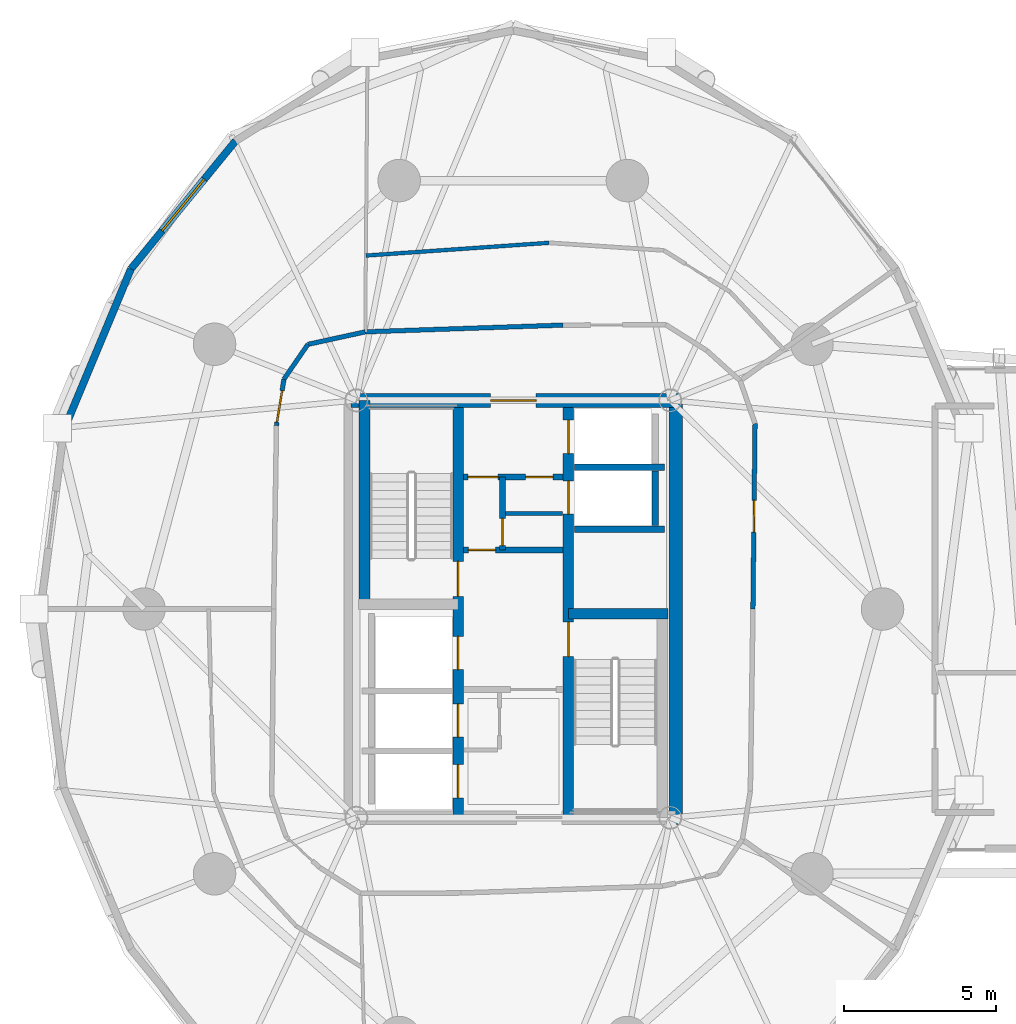
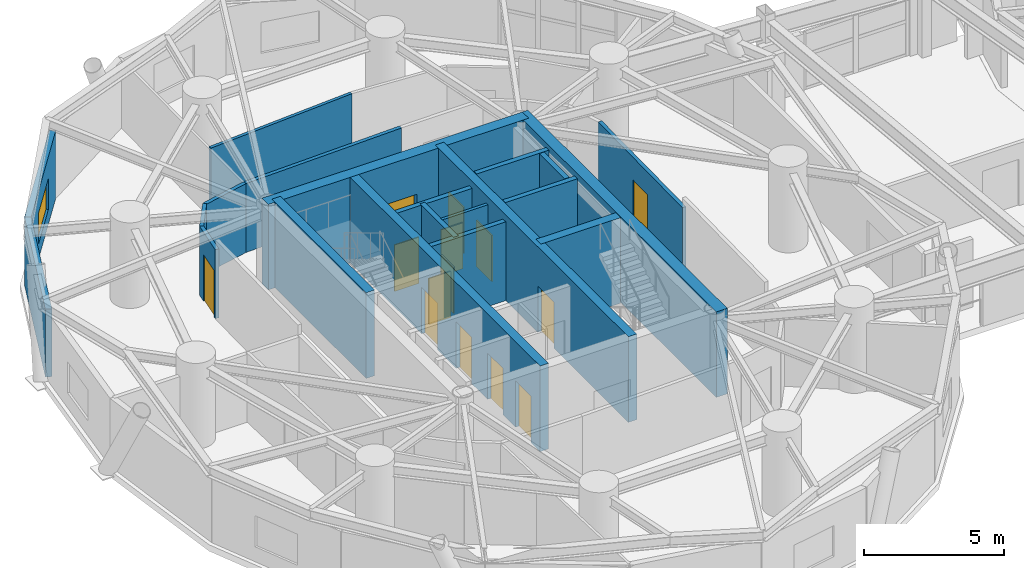
# One storey, part 14 of 20: 21 walls, 14 doors, 1 window, 15 openings.
"""IFC4 building model written with IfcOpenShell, lengths in metres."""

from ifc_helpers import new_model, si_unit, direction, frame, frame_2d, origin, place, context, subcontext, project, spatial, rectangle, extrude, source, transform, mapped, material, layer, layer_set, type_object, element, fill, save


model = new_model("IFC4")

# Units and contexts
model_context = context("Model", 3, precision=1e-05, world=origin(), true_north=direction((0.0, 1.0)))
body_context = subcontext(model_context, "Body", "Model", "MODEL_VIEW")
ifc_project = project(units=[si_unit("LENGTHUNIT", "METRE"), si_unit("AREAUNIT", "SQUARE_METRE"), si_unit("VOLUMEUNIT", "CUBIC_METRE"), si_unit("PLANEANGLEUNIT", "RADIAN"), si_unit("MASSUNIT", "GRAM", prefix="KILO")], contexts=[model_context])

# Site, building, storey
site_placement = place(None, origin())
site = spatial("IfcSite", under=ifc_project, at=site_placement, CompositionType="ELEMENT")
building_placement = place(site_placement, origin())
building = spatial("IfcBuilding", under=site, at=building_placement, Name="Cununo Teusaquillo Station Towers", CompositionType="ELEMENT")
storey_placement = place(building_placement, frame((0.0, 0.0, 129.159912109375)))
storey = spatial("IfcBuildingStorey", under=building, at=storey_placement, Name="L41", CompositionType="ELEMENT", Elevation=129.159912109375)

# Walls
ifc_material_1 = material(Name="Concrete C50/60", Category="concrete")
ifc_layer_1 = layer(ifc_material_1, 0.199951171875)
ifc_layer_set_1 = layer_set([ifc_layer_1], Name="Concrete C50/60")
wall_type_1 = type_object("IfcWallType", Name="WL-CORE-200", PredefinedType="SHEAR", material=ifc_layer_set_1)
for number, where, z_axis, x_axis, name in (
    (1, (18.510009765625, 27.1298828125, 0.0), (0.0, 0.0, 1.0), (1.0, 0.0, 0.0), "L41 Tower A Low-Rise Lift Hoistway South Shear Wall"),
    (2, (18.510009765625, 29.175048828125, 0.0), (0.0, 0.0, 1.0), (1.0, 0.0, 0.0), "L41 Tower A Low-Rise Lift Hoistway Divider Shear Wall"),
):
    element("IfcWall", number, at=place(storey_placement, frame(where, z_axis=z_axis, x_axis=x_axis)), inside=storey, type_object=wall_type_1, Name=name, PredefinedType="SHEAR", context=body_context, shape_type="SweptSolid", body=[
        extrude(rectangle(XDim=2.969970703125, YDim=0.199951171875, at=frame_2d((1.48486328125, 0.0))), origin(), (0.0, 0.0, 1.0), 3.719970703125),
    ])
wall_1_placement = place(storey_placement, frame((21.179931640625, 27.25, 0.0), z_axis=(0.0, 0.0, 1.0), x_axis=(0.0, 1.0, 0.0)))
element("IfcWall", 3, at=wall_1_placement, inside=storey, type_object=wall_type_1, Name="L41 Tower A Low-Rise Lift 1 Shaft Rear Shear Wall", PredefinedType="SHEAR", context=body_context, shape_type="SweptSolid", body=[
    extrude(rectangle(XDim=1.804931640625, YDim=0.199951171875, at=frame_2d((0.90234375, 0.0))), origin(), (0.0, 0.0, 1.0), 3.719970703125),
])

# Wall, openings, doors
ifc_material_2 = material(Name="Concrete C50/60", Category="concrete")
ifc_layer_2 = layer(ifc_material_2, 0.35009765625)
ifc_layer_set_2 = layer_set([ifc_layer_2], Name="Concrete C50/60")
wall_type_2 = type_object("IfcWallType", Name="WL-CORE-350", PredefinedType="SHEAR", material=ifc_layer_set_2)
wall_2_placement = place(storey_placement, frame((14.68505859375, 17.625, 0.0), z_axis=(0.0, 0.0, 1.0), x_axis=(0.0, 1.0, 0.0)))
wall_2 = element("IfcWall", 4, at=wall_2_placement, inside=storey, type_object=wall_type_2, Name="L41 Tower A Core Shear Wall IW", PredefinedType="SHEAR", context=body_context, shape_type="SweptSolid", body=[
    extrude(rectangle(XDim=13.75, YDim=0.35009765625, at=frame_2d((6.875, 0.0))), origin(), (0.0, 0.0, 1.0), 3.719970703125),
])
shared_shape_1 = source(origin(), body_context, "Body", "SweptSolid", [
    extrude(rectangle(XDim=1.10009765625, YDim=2.014892578125, at=frame_2d((0.550048828125, 1.00732421875))), frame((0.0, 0.18505859375, 0.0), z_axis=(0.0, -1.0, 0.0), x_axis=(1.0, 0.0, 0.0)), (0.0, 0.0, 1.0), 0.3701171875),
])
opening_1_placement = place(wall_2_placement, frame((4.875, 0.0, 0.0)))
opening_1 = element("IfcOpeningElement", 5, at=opening_1_placement, cuts=wall_2, Name="Opening LD-01", PredefinedType="OPENING", context=body_context, shape_type="MappedRepresentation", body=[
    mapped(shared_shape_1, transform((0.0, 0.0, 0.0), x_axis=(1.0, 0.0, 0.0), y_axis=(0.0, 1.0, 0.0), z_axis=(0.0, 0.0, 1.0), scale=1.0)),
])
opening_2_placement = place(wall_2_placement, frame((0.64990234375, 0.0, 0.0)))
opening_2 = element("IfcOpeningElement", 6, at=opening_2_placement, cuts=wall_2, Name="Opening LD-01", PredefinedType="OPENING", context=body_context, shape_type="MappedRepresentation", body=[
    mapped(shared_shape_1, transform((0.0, 0.0, 0.0), x_axis=(1.0, 0.0, 0.0), y_axis=(0.0, 1.0, 0.0), z_axis=(0.0, 0.0, 1.0), scale=1.0)),
])
opening_3_placement = place(wall_2_placement, frame((2.64990234375, 0.0, 0.0)))
opening_3 = element("IfcOpeningElement", 7, at=opening_3_placement, cuts=wall_2, Name="Opening LD-01", PredefinedType="OPENING", context=body_context, shape_type="MappedRepresentation", body=[
    mapped(shared_shape_1, transform((0.0, 0.0, 0.0), x_axis=(1.0, 0.0, 0.0), y_axis=(0.0, 1.0, 0.0), z_axis=(0.0, 0.0, 1.0), scale=1.0)),
])
shared_shape_2 = source(origin(), body_context, "Body", "SweptSolid", [
    extrude(rectangle(XDim=1.14990234375, YDim=2.02001953125, at=frame_2d((0.574951171875, 1.010009765625))), frame((0.0, 0.18505859375, 0.0), z_axis=(0.0, -1.0, 0.0), x_axis=(1.0, 0.0, 0.0)), (0.0, 0.0, 1.0), 0.3701171875),
])
opening_4_placement = place(wall_2_placement, frame((7.294921875, 0.0, 0.0)))
opening_4 = element("IfcOpeningElement", 8, at=opening_4_placement, cuts=wall_2, Name="Opening D-ST1", PredefinedType="OPENING", context=body_context, shape_type="MappedRepresentation", body=[
    mapped(shared_shape_2, transform((0.0, 0.0, 0.0), x_axis=(1.0, 0.0, 0.0), y_axis=(0.0, 1.0, 0.0), z_axis=(0.0, 0.0, 1.0), scale=1.0)),
])
ifc_material_3 = material(Name="Galvanised fire-rated hollow steel door assembly", Category="steel")
door_type_1 = type_object("IfcDoorType", Name="DR-LIFT-1100", OperationType="SLIDING_TO_LEFT", PredefinedType="DOOR", material=ifc_material_3)
shared_shape_3 = source(origin(), body_context, "Body", "SweptSolid", [
    extrude(rectangle(XDim=1.10009765625, YDim=2.014892578125, at=frame_2d((0.550048828125, 1.00732421875))), frame((0.0, 0.02490234375, 0.0), z_axis=(0.0, -1.0, 0.0), x_axis=(1.0, 0.0, 0.0)), (0.0, 0.0, 1.0), 0.050048828125),
])
door_1_placement = place(opening_1_placement, origin())
door_1 = element("IfcDoor", 9, at=door_1_placement, inside=storey, type_object=door_type_1, Name="L41 Lift FL-T1 Sliding Landing Door", OperationType="SLIDING_TO_RIGHT", OverallHeight=2.014892578125, OverallWidth=1.10009765625, PredefinedType="DOOR", context=body_context, shape_type="MappedRepresentation", body=[
    mapped(shared_shape_3, transform((0.0, 0.0, 0.0), x_axis=(1.0, 0.0, 0.0), y_axis=(0.0, 1.0, 0.0), z_axis=(0.0, 0.0, 1.0), scale=1.0)),
])
fill(opening_1, door_1)
door_2_placement = place(opening_2_placement, origin())
door_2 = element("IfcDoor", 10, at=door_2_placement, inside=storey, type_object=door_type_1, Name="L41 Lift PL-T1-H1 Sliding Landing Door", OperationType="SLIDING_TO_RIGHT", OverallHeight=2.014892578125, OverallWidth=1.10009765625, PredefinedType="DOOR", context=body_context, shape_type="MappedRepresentation", body=[
    mapped(shared_shape_3, transform((0.0, 0.0, 0.0), x_axis=(1.0, 0.0, 0.0), y_axis=(0.0, 1.0, 0.0), z_axis=(0.0, 0.0, 1.0), scale=1.0)),
])
fill(opening_2, door_2)
door_3_placement = place(opening_3_placement, origin())
door_3 = element("IfcDoor", 11, at=door_3_placement, inside=storey, type_object=door_type_1, Name="L41 Lift PL-T1-H2 Sliding Landing Door", OperationType="SLIDING_TO_LEFT", OverallHeight=2.014892578125, OverallWidth=1.10009765625, PredefinedType="DOOR", context=body_context, shape_type="MappedRepresentation", body=[
    mapped(shared_shape_3, transform((0.0, 0.0, 0.0), x_axis=(1.0, 0.0, 0.0), y_axis=(0.0, 1.0, 0.0), z_axis=(0.0, 0.0, 1.0), scale=1.0)),
])
fill(opening_3, door_3)
ifc_material_4 = material(Name="Galvanised fire-rated hollow steel door assembly", Category="steel")
door_type_2 = type_object("IfcDoorType", Name="DR-STAIR-1150", OperationType="NOTDEFINED", PredefinedType="DOOR", material=ifc_material_4)
shared_shape_4 = source(origin(), body_context, "Body", "SweptSolid", [
    extrude(rectangle(XDim=1.14990234375, YDim=2.02001953125, at=frame_2d((0.574951171875, 1.010009765625))), frame((0.0, 0.02490234375, 0.0), z_axis=(0.0, -1.0, 0.0), x_axis=(1.0, 0.0, 0.0)), (0.0, 0.0, 1.0), 0.050048828125),
])
door_4_placement = place(opening_4_placement, origin())
door_4 = element("IfcDoor", 12, at=door_4_placement, inside=storey, type_object=door_type_2, Name="L41 Tower A Exit Stair 1 Fire Door", OperationType="SINGLE_SWING_LEFT", OverallHeight=2.02001953125, OverallWidth=1.14990234375, PredefinedType="DOOR", context=body_context, shape_type="MappedRepresentation", body=[
    mapped(shared_shape_4, transform((0.0, 0.0, 0.0), x_axis=(1.0, 0.0, 0.0), y_axis=(0.0, 1.0, 0.0), z_axis=(0.0, 0.0, 1.0), scale=1.0)),
])
fill(opening_4, door_4)

wall_3_placement = place(storey_placement, frame((18.31494140625, 17.625, 0.0), z_axis=(0.0, 0.0, 1.0), x_axis=(0.0, 1.0, 0.0)))
wall_3 = element("IfcWall", 13, at=wall_3_placement, inside=storey, type_object=wall_type_2, Name="L41 Tower A Core Shear Wall IE", PredefinedType="SHEAR", context=body_context, shape_type="SweptSolid", body=[
    extrude(rectangle(XDim=13.75, YDim=0.35009765625, at=frame_2d((6.875, 0.0))), origin(), (0.0, 0.0, 1.0), 3.719970703125),
])
opening_5_placement = place(wall_3_placement, frame((10.0, 0.0, 0.0)))
opening_5 = element("IfcOpeningElement", 14, at=opening_5_placement, cuts=wall_3, Name="Opening LD-01", PredefinedType="OPENING", context=body_context, shape_type="MappedRepresentation", body=[
    mapped(shared_shape_1, transform((0.0, 0.0, 0.0), x_axis=(1.0, 0.0, 0.0), y_axis=(0.0, 1.0, 0.0), z_axis=(0.0, 0.0, 1.0), scale=1.0)),
])
opening_6_placement = place(wall_3_placement, frame((12.0, 0.0, 0.0)))
opening_6 = element("IfcOpeningElement", 15, at=opening_6_placement, cuts=wall_3, Name="Opening LD-01", PredefinedType="OPENING", context=body_context, shape_type="MappedRepresentation", body=[
    mapped(shared_shape_1, transform((0.0, 0.0, 0.0), x_axis=(1.0, 0.0, 0.0), y_axis=(0.0, 1.0, 0.0), z_axis=(0.0, 0.0, 1.0), scale=1.0)),
])
opening_7_placement = place(wall_3_placement, frame((5.304931640625, 0.0, 0.0)))
opening_7 = element("IfcOpeningElement", 16, at=opening_7_placement, cuts=wall_3, Name="Opening D-ST1", PredefinedType="OPENING", context=body_context, shape_type="MappedRepresentation", body=[
    mapped(shared_shape_2, transform((0.0, 0.0, 0.0), x_axis=(1.0, 0.0, 0.0), y_axis=(0.0, 1.0, 0.0), z_axis=(0.0, 0.0, 1.0), scale=1.0)),
])
door_5_placement = place(opening_5_placement, origin())
door_5 = element("IfcDoor", 17, at=door_5_placement, inside=storey, type_object=door_type_1, Name="L41 Lift PL-T1-L1 Sliding Landing Door", OperationType="SLIDING_TO_RIGHT", OverallHeight=2.014892578125, OverallWidth=1.10009765625, PredefinedType="DOOR", context=body_context, shape_type="MappedRepresentation", body=[
    mapped(shared_shape_3, transform((0.0, 0.0, 0.0), x_axis=(1.0, 0.0, 0.0), y_axis=(0.0, 1.0, 0.0), z_axis=(0.0, 0.0, 1.0), scale=1.0)),
])
fill(opening_5, door_5)
door_6_placement = place(opening_6_placement, origin())
door_6 = element("IfcDoor", 18, at=door_6_placement, inside=storey, type_object=door_type_1, Name="L41 Lift PL-T1-L2 Sliding Landing Door", OperationType="SLIDING_TO_LEFT", OverallHeight=2.014892578125, OverallWidth=1.10009765625, PredefinedType="DOOR", context=body_context, shape_type="MappedRepresentation", body=[
    mapped(shared_shape_3, transform((0.0, 0.0, 0.0), x_axis=(1.0, 0.0, 0.0), y_axis=(0.0, 1.0, 0.0), z_axis=(0.0, 0.0, 1.0), scale=1.0)),
])
fill(opening_6, door_6)
door_7_placement = place(opening_7_placement, origin())
door_7 = element("IfcDoor", 19, at=door_7_placement, inside=storey, type_object=door_type_2, Name="L41 Tower A Exit Stair 2 Fire Door", OperationType="SINGLE_SWING_RIGHT", OverallHeight=2.02001953125, OverallWidth=1.14990234375, PredefinedType="DOOR", context=body_context, shape_type="MappedRepresentation", body=[
    mapped(shared_shape_4, transform((0.0, 0.0, 0.0), x_axis=(1.0, 0.0, 0.0), y_axis=(0.0, 1.0, 0.0), z_axis=(0.0, 0.0, 1.0), scale=1.0)),
])
fill(opening_7, door_7)

# Walls
wall_4_placement = place(storey_placement, frame((11.594970703125, 24.655029296875, 0.0), z_axis=(0.0, 0.0, 1.0), x_axis=(0.0, 1.0, 0.0)))
element("IfcWall", 20, at=wall_4_placement, inside=storey, type_object=wall_type_2, Name="L41 Tower A Core Shear Wall ST1W", PredefinedType="SHEAR", context=body_context, shape_type="SweptSolid", body=[
    extrude(rectangle(XDim=6.719970703125, YDim=0.35009765625, at=frame_2d((3.35986328125, 0.0))), origin(), (0.0, 0.0, 1.0), 3.719970703125),
])
wall_5_placement = place(storey_placement, frame((18.31494140625, 24.344970703125, 0.0), z_axis=(0.0, 0.0, 1.0), x_axis=(1.0, 0.0, 0.0)))
element("IfcWall", 21, at=wall_5_placement, inside=storey, type_object=wall_type_2, Name="L41 Tower A Core Shear Wall ST2N", PredefinedType="SHEAR", context=body_context, shape_type="SweptSolid", body=[
    extrude(rectangle(XDim=3.28515625, YDim=0.35009765625, at=frame_2d((1.642578125, 0.0))), origin(), (0.0, 0.0, 1.0), 3.719970703125),
])
ifc_material_5 = material(Name="Concrete C60/75", Category="concrete")
ifc_layer_3 = layer(ifc_material_5, 0.449951171875)
ifc_layer_set_3 = layer_set([ifc_layer_3], Name="Concrete C60/75")
wall_type_3 = type_object("IfcWallType", Name="WL-CORE-450", PredefinedType="SHEAR", material=ifc_layer_set_3)
wall_6_placement = place(storey_placement, frame((21.85009765625, 17.39990234375, 0.0), z_axis=(0.0, 0.0, 1.0), x_axis=(0.0, 1.0, 0.0)))
element("IfcWall", 22, at=wall_6_placement, inside=storey, type_object=wall_type_3, Name="L41 Tower A Core Shear Wall E", PredefinedType="SHEAR", context=body_context, shape_type="SweptSolid", body=[
    extrude(rectangle(XDim=14.2001953125, YDim=0.449951171875, at=frame_2d((7.10009765625, 0.0))), origin(), (0.0, 0.0, 1.0), 3.719970703125),
])

# Wall, opening, door
wall_7_placement = place(storey_placement, frame((11.14990234375, 31.375, 0.0), z_axis=(0.0, 0.0, 1.0), x_axis=(1.0, 0.0, 0.0)))
wall_7 = element("IfcWall", 23, at=wall_7_placement, inside=storey, type_object=wall_type_3, Name="L41 Tower A Core Shear Wall N", PredefinedType="SHEAR", context=body_context, shape_type="SweptSolid", body=[
    extrude(rectangle(XDim=10.7001953125, YDim=0.449951171875, at=frame_2d((5.35009765625, 0.0))), origin(), (0.0, 0.0, 1.0), 3.719970703125),
])
shared_shape_5 = source(origin(), body_context, "Body", "SweptSolid", [
    extrude(rectangle(XDim=1.5, YDim=2.02001953125, at=frame_2d((0.75, 1.010009765625))), frame((0.0, 0.23486328125, 0.0), z_axis=(0.0, -1.0, 0.0), x_axis=(1.0, 0.0, 0.0)), (0.0, 0.0, 1.0), 0.469970703125),
])
opening_8_placement = place(wall_7_placement, frame((4.60009765625, 0.0, 0.0)))
opening_8 = element("IfcOpeningElement", 24, at=opening_8_placement, cuts=wall_7, Name="Opening D-LB1", PredefinedType="OPENING", context=body_context, shape_type="MappedRepresentation", body=[
    mapped(shared_shape_5, transform((0.0, 0.0, 0.0), x_axis=(1.0, 0.0, 0.0), y_axis=(0.0, 1.0, 0.0), z_axis=(0.0, 0.0, 1.0), scale=1.0)),
])
ifc_material_6 = material(Name="Galvanised fire-rated hollow steel door assembly", Category="steel")
door_type_3 = type_object("IfcDoorType", Name="DR-LOBBY-1500", OperationType="DOUBLE_DOOR_SINGLE_SWING", PredefinedType="DOOR", material=ifc_material_6)
shared_shape_6 = source(origin(), body_context, "Body", "SweptSolid", [
    extrude(rectangle(XDim=1.5, YDim=2.02001953125, at=frame_2d((0.75, 1.010009765625))), frame((0.0, 0.02490234375, 0.0), z_axis=(0.0, -1.0, 0.0), x_axis=(1.0, 0.0, 0.0)), (0.0, 0.0, 1.0), 0.050048828125),
])
door_8_placement = place(opening_8_placement, origin())
door_8 = element("IfcDoor", 25, at=door_8_placement, inside=storey, type_object=door_type_3, Name="L41 Tower A North Core Lift Lobby Door", OperationType="DOUBLE_DOOR_SINGLE_SWING", OverallHeight=2.02001953125, OverallWidth=1.5, PredefinedType="DOOR", context=body_context, shape_type="MappedRepresentation", body=[
    mapped(shared_shape_6, transform((0.0, 0.0, 0.0), x_axis=(1.0, 0.0, 0.0), y_axis=(0.0, 1.0, 0.0), z_axis=(0.0, 0.0, 1.0), scale=1.0)),
])
fill(opening_8, door_8)

# Wall, opening, window
ifc_material_7 = material(Name="Precast concrete C40/50", Category="concrete")
ifc_layer_4 = layer(ifc_material_7, 0.239990234375)
ifc_layer_set_4 = layer_set([ifc_layer_4], Name="Precast concrete C40/50")
wall_type_4 = type_object("IfcWallType", Name="WL-EXT-240", PredefinedType="SOLIDWALL", material=ifc_layer_set_4)
wall_8_placement = place(storey_placement, frame((3.894775390625, 35.708984375, 0.0), z_axis=(0.0, 0.0, 1.0), x_axis=(0.632700781152, 0.77439635945, 0.0)))
wall_8 = element("IfcWall", 26, at=wall_8_placement, inside=storey, type_object=wall_type_4, Name="L41 Tower A Exterior Facade Wall C07", PredefinedType="SOLIDWALL", context=body_context, shape_type="SweptSolid", body=[
    extrude(rectangle(XDim=5.447998046875, YDim=0.239990234375, at=frame_2d((2.72412109375, 0.0))), origin(), (0.0, 0.0, 1.0), 2.948974609375),
])
shared_shape_7 = source(origin(), body_context, "Body", "SweptSolid", [
    extrude(rectangle(XDim=2.199951171875, YDim=1.35009765625, at=frame_2d((1.10009765625, 0.675048828125))), frame((0.0, 0.1298828125, 0.0), z_axis=(0.0, -1.0, 0.0), x_axis=(1.0, 0.0, 0.0)), (0.0, 0.0, 1.0), 0.260009765625),
])
opening_9_placement = place(wall_8_placement, frame((1.6240234375, 0.0, 0.64990234375)))
opening_9 = element("IfcOpeningElement", 27, at=opening_9_placement, cuts=wall_8, Name="Opening WN-01", PredefinedType="OPENING", context=body_context, shape_type="MappedRepresentation", body=[
    mapped(shared_shape_7, transform((0.0, 0.0, 0.0), x_axis=(1.0, 0.0, 0.0), y_axis=(0.0, 1.0, 0.0), z_axis=(0.0, 0.0, 1.0), scale=1.0)),
])
ifc_material_8 = material(Name="Ceramic-fritted dark low-E double glazing", Category="glass")
window_type = type_object("IfcWindowType", Name="WIN-FRIT-2200", PartitioningType="DOUBLE_PANEL_VERTICAL", PredefinedType="WINDOW", material=ifc_material_8)
shared_shape_8 = source(origin(), body_context, "Body", "SweptSolid", [
    extrude(rectangle(XDim=2.199951171875, YDim=1.35009765625, at=frame_2d((1.10009765625, 0.675048828125))), frame((0.0, 0.030029296875, 0.0), z_axis=(0.0, -1.0, 0.0), x_axis=(1.0, 0.0, 0.0)), (0.0, 0.0, 1.0), 0.06005859375),
])
window_placement = place(opening_9_placement, origin())
window = element("IfcWindow", 28, at=window_placement, inside=storey, type_object=window_type, Name="L41 Tower A Facade Window C07", OverallHeight=1.35009765625, OverallWidth=2.199951171875, PartitioningType="DOUBLE_PANEL_VERTICAL", PredefinedType="WINDOW", context=body_context, shape_type="MappedRepresentation", body=[
    mapped(shared_shape_8, transform((0.0, 0.0, 0.0), x_axis=(1.0, 0.0, 0.0), y_axis=(0.0, 1.0, 0.0), z_axis=(0.0, 0.0, 1.0), scale=1.0)),
])
fill(opening_9, window)

# Walls
wall_9_placement = place(storey_placement, frame((1.681640625, 30.39306640625, 0.0), z_axis=(0.0, 0.0, 1.0), x_axis=(0.384344417632, 0.923189779317, 0.0)))
element("IfcWall", 29, at=wall_9_placement, inside=storey, type_object=wall_type_4, Name="L41 Tower A Exterior Facade Wall C08", PredefinedType="SOLIDWALL", context=body_context, shape_type="SweptSolid", body=[
    extrude(rectangle(XDim=5.75830078125, YDim=0.239990234375, at=frame_2d((2.879150390625, 0.0))), origin(), (0.0, 0.0, 1.0), 2.948974609375),
])
ifc_material_9 = material(Name="Fire-rated gypsum plasterboard partition assembly", Category="gypsum")
ifc_layer_5 = layer(ifc_material_9, 0.125)
ifc_layer_set_5 = layer_set([ifc_layer_5], Name="Fire-rated gypsum plasterboard partition assembly")
wall_type_5 = type_object("IfcWallType", Name="WL-PART-125", PredefinedType="PARTITIONING", material=ifc_layer_set_5)
wall_10_placement = place(storey_placement, frame((16.239990234375, 27.64990234375, 0.0), z_axis=(0.0, 0.0, 1.0), x_axis=(1.0, 0.0, 0.0)))
element("IfcWall", 30, at=wall_10_placement, inside=storey, type_object=wall_type_5, Name="L41 Tower A Core Horizontal Split Wall", PredefinedType="PARTITIONING", context=body_context, shape_type="SweptSolid", body=[
    extrude(rectangle(XDim=1.880126953125, YDim=0.125, at=frame_2d((0.93994140625, 0.0))), origin(), (0.0, 0.0, 1.0), 3.425048828125),
])
wall_11_placement = place(storey_placement, frame((17.682861328125, 36.57275390625, 0.0), z_axis=(0.0, 0.0, 1.0), x_axis=(-0.997580369038, -0.069522710754, 0.0)))
element("IfcWall", 31, at=wall_11_placement, inside=storey, type_object=wall_type_5, Name="L41 Tower A Pan-Andean Symposium Hall Concentric Partition Wall C05", PredefinedType="PARTITIONING", context=body_context, shape_type="SweptSolid", body=[
    extrude(rectangle(XDim=6.0576171875, YDim=0.125, at=frame_2d((3.02880859375, 0.0))), origin(), (0.0, 0.0, 1.0), 2.9951171875),
])

# Wall, opening, door
ifc_material_10 = material(Name="Fire-rated gypsum plasterboard partition assembly", Category="gypsum")
ifc_layer_6 = layer(ifc_material_10, 0.14990234375)
ifc_layer_set_6 = layer_set([ifc_layer_6], Name="Fire-rated gypsum plasterboard partition assembly")
wall_type_6 = type_object("IfcWallType", Name="WL-PART-150", PredefinedType="PARTITIONING", material=ifc_layer_set_6)
wall_12_placement = place(storey_placement, frame((24.39990234375, 24.5, 0.0), z_axis=(0.0, 0.0, 1.0), x_axis=(0.011299841544, 0.999936154752, 0.0)))
wall_12 = element("IfcWall", 32, at=wall_12_placement, inside=storey, type_object=wall_type_6, Name="L41 Tower A Corridor Ring Wall C00", PredefinedType="PARTITIONING", context=body_context, shape_type="SweptSolid", body=[
    extrude(rectangle(XDim=6.114501953125, YDim=0.14990234375, at=frame_2d((3.05712890625, 0.0))), origin(), (0.0, 0.0, 1.0), 2.9951171875),
])
shared_shape_9 = source(origin(), body_context, "Body", "SweptSolid", [
    extrude(rectangle(XDim=1.050048828125, YDim=2.014892578125, at=frame_2d((0.52490234375, 1.00732421875))), frame((0.0, 0.0849609375, 0.0), z_axis=(0.0, -1.0, 0.0), x_axis=(1.0, 0.0, 0.0)), (0.0, 0.0, 1.0), 0.169921875),
])
opening_10_placement = place(wall_12_placement, frame((2.5322265625, 0.0, 0.0)))
opening_10 = element("IfcOpeningElement", 33, at=opening_10_placement, cuts=wall_12, Name="Opening D-SU1", PredefinedType="OPENING", context=body_context, shape_type="MappedRepresentation", body=[
    mapped(shared_shape_9, transform((0.0, 0.0, 0.0), x_axis=(1.0, 0.0, 0.0), y_axis=(0.0, 1.0, 0.0), z_axis=(0.0, 0.0, 1.0), scale=1.0)),
])
ifc_material_11 = material(Name="Acoustic solid-core hardwood leaf assembly", Category="wood")
door_type_4 = type_object("IfcDoorType", Name="DR-SUITE-1050", OperationType="NOTDEFINED", PredefinedType="DOOR", material=ifc_material_11)
shared_shape_10 = source(origin(), body_context, "Body", "SweptSolid", [
    extrude(rectangle(XDim=1.050048828125, YDim=2.014892578125, at=frame_2d((0.52490234375, 1.00732421875))), frame((0.0, 0.02490234375, 0.0), z_axis=(0.0, -1.0, 0.0), x_axis=(1.0, 0.0, 0.0)), (0.0, 0.0, 1.0), 0.050048828125),
])
door_9_placement = place(opening_10_placement, origin())
door_9 = element("IfcDoor", 34, at=door_9_placement, inside=storey, type_object=door_type_4, Name="L41 Tower A Bridge Portal Reception Foyer Entrance Door", OperationType="SINGLE_SWING_RIGHT", OverallHeight=2.014892578125, OverallWidth=1.050048828125, PredefinedType="DOOR", context=body_context, shape_type="MappedRepresentation", body=[
    mapped(shared_shape_10, transform((0.0, 0.0, 0.0), x_axis=(1.0, 0.0, 0.0), y_axis=(0.0, 1.0, 0.0), z_axis=(0.0, 0.0, 1.0), scale=1.0)),
])
fill(opening_10, door_9)

# Walls
wall_13_placement = place(storey_placement, frame((18.142822265625, 33.859619140625, 0.0), z_axis=(0.0, 0.0, 1.0), x_axis=(-0.999419208319, -0.034077060363, 0.0)))
element("IfcWall", 35, at=wall_13_placement, inside=storey, type_object=wall_type_6, Name="L41 Tower A Corridor Ring Wall C05", PredefinedType="PARTITIONING", context=body_context, shape_type="SweptSolid", body=[
    extrude(rectangle(XDim=6.52685546875, YDim=0.14990234375, at=frame_2d((3.263427734375, 0.0))), origin(), (0.0, 0.0, 1.0), 2.9951171875),
])
wall_14_placement = place(storey_placement, frame((11.619873046875, 33.63720703125, 0.0), z_axis=(0.0, 0.0, 1.0), x_axis=(-0.97702579435, -0.213121085711, 0.0)))
element("IfcWall", 36, at=wall_14_placement, inside=storey, type_object=wall_type_6, Name="L41 Tower A Corridor Ring Wall C06", PredefinedType="PARTITIONING", context=body_context, shape_type="SweptSolid", body=[
    extrude(rectangle(XDim=1.934814453125, YDim=0.14990234375, at=frame_2d((0.96728515625, 0.0))), origin(), (0.0, 0.0, 1.0), 2.9951171875),
])
wall_15_placement = place(storey_placement, frame((9.7294921875, 33.224853515625, 0.0), z_axis=(0.0, 0.0, 1.0), x_axis=(-0.567183649484, -0.82359134755, 0.0)))
element("IfcWall", 37, at=wall_15_placement, inside=storey, type_object=wall_type_6, Name="L41 Tower A Corridor Ring Wall C07", PredefinedType="PARTITIONING", context=body_context, shape_type="SweptSolid", body=[
    extrude(rectangle(XDim=1.39208984375, YDim=0.14990234375, at=frame_2d((0.696044921875, 0.0))), origin(), (0.0, 0.0, 1.0), 2.9951171875),
])

# Wall, opening, door
wall_16_placement = place(storey_placement, frame((8.93994140625, 32.078369140625, 0.0), z_axis=(0.0, 0.0, 1.0), x_axis=(-0.159148467753, -0.98725466077, 0.0)))
wall_16 = element("IfcWall", 38, at=wall_16_placement, inside=storey, type_object=wall_type_6, Name="L41 Tower A Corridor Ring Wall C08", PredefinedType="PARTITIONING", context=body_context, shape_type="SweptSolid", body=[
    extrude(rectangle(XDim=1.553955078125, YDim=0.14990234375, at=frame_2d((0.77685546875, 0.0))), origin(), (0.0, 0.0, 1.0), 2.9951171875),
])
opening_11_placement = place(wall_16_placement, frame((0.384033203125, 0.0, 0.0)))
opening_11 = element("IfcOpeningElement", 39, at=opening_11_placement, cuts=wall_16, Name="Opening D-SU1", PredefinedType="OPENING", context=body_context, shape_type="MappedRepresentation", body=[
    mapped(shared_shape_9, transform((0.0, 0.0, 0.0), x_axis=(1.0, 0.0, 0.0), y_axis=(0.0, 1.0, 0.0), z_axis=(0.0, 0.0, 1.0), scale=1.0)),
])
door_10_placement = place(opening_11_placement, origin())
door_10 = element("IfcDoor", 40, at=door_10_placement, inside=storey, type_object=door_type_4, Name="L41 Tower A Sky-Concourse Exhibition Salon Entrance Door", OperationType="SINGLE_SWING_RIGHT", OverallHeight=2.014892578125, OverallWidth=1.050048828125, PredefinedType="DOOR", context=body_context, shape_type="MappedRepresentation", body=[
    mapped(shared_shape_10, transform((0.0, 0.0, 0.0), x_axis=(1.0, 0.0, 0.0), y_axis=(0.0, 1.0, 0.0), z_axis=(0.0, 0.0, 1.0), scale=1.0)),
])
fill(opening_11, door_10)

ifc_material_12 = material(Name="Fire-rated gypsum plasterboard partition assembly", Category="gypsum")
ifc_layer_7 = layer(ifc_material_12, 0.199951171875)
ifc_layer_set_7 = layer_set([ifc_layer_7], Name="Fire-rated gypsum plasterboard partition assembly")
wall_type_7 = type_object("IfcWallType", Name="WL-PART-200", PredefinedType="PARTITIONING", material=ifc_layer_set_7)
wall_17_placement = place(storey_placement, frame((14.860107421875, 26.449951171875, 0.0), z_axis=(0.0, 0.0, 1.0), x_axis=(1.0, 0.0, 0.0)))
wall_17 = element("IfcWall", 41, at=wall_17_placement, inside=storey, type_object=wall_type_7, Name="L41 Tower A Firefighting Lift Lobby North Fire Wall", PredefinedType="PARTITIONING", context=body_context, shape_type="SweptSolid", body=[
    extrude(rectangle(XDim=3.27978515625, YDim=0.199951171875, at=frame_2d((1.639892578125, 0.0))), origin(), (0.0, 0.0, 1.0), 3.425048828125),
])
shared_shape_11 = source(origin(), body_context, "Body", "SweptSolid", [
    extrude(rectangle(XDim=0.89990234375, YDim=2.0048828125, at=frame_2d((0.449951171875, 1.00244140625))), frame((0.0, 0.10986328125, 0.0), z_axis=(0.0, -1.0, 0.0), x_axis=(1.0, 0.0, 0.0)), (0.0, 0.0, 1.0), 0.219970703125),
])
opening_12_placement = place(wall_17_placement, frame((0.159912109375, 0.0, 0.0)))
opening_12 = element("IfcOpeningElement", 42, at=opening_12_placement, cuts=wall_17, Name="Opening D-SR1", PredefinedType="OPENING", context=body_context, shape_type="MappedRepresentation", body=[
    mapped(shared_shape_11, transform((0.0, 0.0, 0.0), x_axis=(1.0, 0.0, 0.0), y_axis=(0.0, 1.0, 0.0), z_axis=(0.0, 0.0, 1.0), scale=1.0)),
])
ifc_material_13 = material(Name="Galvanised fire-rated hollow steel door assembly", Category="steel")
door_type_5 = type_object("IfcDoorType", Name="DR-STORE-900", OperationType="NOTDEFINED", PredefinedType="DOOR", material=ifc_material_13)
shared_shape_12 = source(origin(), body_context, "Body", "SweptSolid", [
    extrude(rectangle(XDim=0.89990234375, YDim=2.0048828125, at=frame_2d((0.449951171875, 1.00244140625))), frame((0.0, 0.02490234375, 0.0), z_axis=(0.0, -1.0, 0.0), x_axis=(1.0, 0.0, 0.0)), (0.0, 0.0, 1.0), 0.050048828125),
])
door_11_placement = place(opening_12_placement, origin())
door_11 = element("IfcDoor", 43, at=door_11_placement, inside=storey, type_object=door_type_5, Name="L41 Tower A Stair 1 Protected Vestibule South Door", OperationType="SINGLE_SWING_LEFT", OverallHeight=2.0048828125, OverallWidth=0.89990234375, PredefinedType="DOOR", context=body_context, shape_type="MappedRepresentation", body=[
    mapped(shared_shape_12, transform((0.0, 0.0, 0.0), x_axis=(1.0, 0.0, 0.0), y_axis=(0.0, 1.0, 0.0), z_axis=(0.0, 0.0, 1.0), scale=1.0)),
])
fill(opening_12, door_11)

wall_18_placement = place(storey_placement, frame((16.14990234375, 26.449951171875, 0.0), z_axis=(0.0, 0.0, 1.0), x_axis=(0.0, 1.0, 0.0)))
wall_18 = element("IfcWall", 44, at=wall_18_placement, inside=storey, type_object=wall_type_7, Name="L41 Tower A Stair 1 Vestibule Partition Wall", PredefinedType="PARTITIONING", context=body_context, shape_type="SweptSolid", body=[
    extrude(rectangle(XDim=2.400146484375, YDim=0.199951171875, at=frame_2d((1.2001953125, 0.0))), origin(), (0.0, 0.0, 1.0), 3.425048828125),
])
opening_13_placement = place(wall_18_placement, frame((0.139892578125, 0.0, 0.0)))
opening_13 = element("IfcOpeningElement", 45, at=opening_13_placement, cuts=wall_18, Name="Opening D-SR1", PredefinedType="OPENING", context=body_context, shape_type="MappedRepresentation", body=[
    mapped(shared_shape_11, transform((0.0, 0.0, 0.0), x_axis=(1.0, 0.0, 0.0), y_axis=(0.0, 1.0, 0.0), z_axis=(0.0, 0.0, 1.0), scale=1.0)),
])
door_12_placement = place(opening_13_placement, origin())
door_12 = element("IfcDoor", 46, at=door_12_placement, inside=storey, type_object=door_type_5, Name="L41 Tower A Core Linen Store Door", OperationType="SINGLE_SWING_RIGHT", OverallHeight=2.0048828125, OverallWidth=0.89990234375, PredefinedType="DOOR", context=body_context, shape_type="MappedRepresentation", body=[
    mapped(shared_shape_12, transform((0.0, 0.0, 0.0), x_axis=(1.0, 0.0, 0.0), y_axis=(0.0, 1.0, 0.0), z_axis=(0.0, 0.0, 1.0), scale=1.0)),
])
fill(opening_13, door_12)

# Wall, openings, doors
wall_19_placement = place(storey_placement, frame((14.860107421875, 28.85009765625, 0.0), z_axis=(0.0, 0.0, 1.0), x_axis=(1.0, 0.0, 0.0)))
wall_19 = element("IfcWall", 47, at=wall_19_placement, inside=storey, type_object=wall_type_7, Name="L41 Tower A North Lift Lobby South Fire Wall", PredefinedType="PARTITIONING", context=body_context, shape_type="SweptSolid", body=[
    extrude(rectangle(XDim=3.27978515625, YDim=0.199951171875, at=frame_2d((1.639892578125, 0.0))), origin(), (0.0, 0.0, 1.0), 3.425048828125),
])
shared_shape_13 = source(origin(), body_context, "Body", "SweptSolid", [
    extrude(rectangle(XDim=1.0, YDim=2.014892578125, at=frame_2d((0.5, 1.00732421875))), frame((0.0, 0.10986328125, 0.0), z_axis=(0.0, -1.0, 0.0), x_axis=(1.0, 0.0, 0.0)), (0.0, 0.0, 1.0), 0.219970703125),
])
opening_14_placement = place(wall_19_placement, frame((0.139892578125, 0.0, 0.0)))
opening_14 = element("IfcOpeningElement", 48, at=opening_14_placement, cuts=wall_19, Name="Opening D-AC1", PredefinedType="OPENING", context=body_context, shape_type="MappedRepresentation", body=[
    mapped(shared_shape_13, transform((0.0, 0.0, 0.0), x_axis=(1.0, 0.0, 0.0), y_axis=(0.0, 1.0, 0.0), z_axis=(0.0, 0.0, 1.0), scale=1.0)),
])
opening_15_placement = place(wall_19_placement, frame((2.050048828125, 0.0, 0.0)))
opening_15 = element("IfcOpeningElement", 49, at=opening_15_placement, cuts=wall_19, Name="Opening D-SR1", PredefinedType="OPENING", context=body_context, shape_type="MappedRepresentation", body=[
    mapped(shared_shape_11, transform((0.0, 0.0, 0.0), x_axis=(1.0, 0.0, 0.0), y_axis=(0.0, 1.0, 0.0), z_axis=(0.0, 0.0, 1.0), scale=1.0)),
])
door_13_placement = place(opening_15_placement, origin())
door_13 = element("IfcDoor", 50, at=door_13_placement, inside=storey, type_object=door_type_5, Name="L41 Tower A Core Comms Room Door", OperationType="SINGLE_SWING_LEFT", OverallHeight=2.0048828125, OverallWidth=0.89990234375, PredefinedType="DOOR", context=body_context, shape_type="MappedRepresentation", body=[
    mapped(shared_shape_12, transform((0.0, 0.0, 0.0), x_axis=(1.0, 0.0, 0.0), y_axis=(0.0, 1.0, 0.0), z_axis=(0.0, 0.0, 1.0), scale=1.0)),
])
fill(opening_15, door_13)
ifc_material_14 = material(Name="Acoustic solid-core hardwood leaf assembly", Category="wood")
door_type_6 = type_object("IfcDoorType", Name="DR-ACC-1000", OperationType="NOTDEFINED", PredefinedType="DOOR", material=ifc_material_14)
shared_shape_14 = source(origin(), body_context, "Body", "SweptSolid", [
    extrude(rectangle(XDim=1.0, YDim=2.014892578125, at=frame_2d((0.5, 1.00732421875))), frame((0.0, 0.02490234375, 0.0), z_axis=(0.0, -1.0, 0.0), x_axis=(1.0, 0.0, 0.0)), (0.0, 0.0, 1.0), 0.050048828125),
])
door_14_placement = place(opening_14_placement, origin())
door_14 = element("IfcDoor", 51, at=door_14_placement, inside=storey, type_object=door_type_6, Name="L41 Tower A North Lift Lobby to Stair 1 Vestibule Door", OperationType="SINGLE_SWING_RIGHT", OverallHeight=2.014892578125, OverallWidth=1.0, PredefinedType="DOOR", context=body_context, shape_type="MappedRepresentation", body=[
    mapped(shared_shape_14, transform((0.0, 0.0, 0.0), x_axis=(1.0, 0.0, 0.0), y_axis=(0.0, 1.0, 0.0), z_axis=(0.0, 0.0, 1.0), scale=1.0)),
])
fill(opening_14, door_14)

save(model, "model.ifc")
